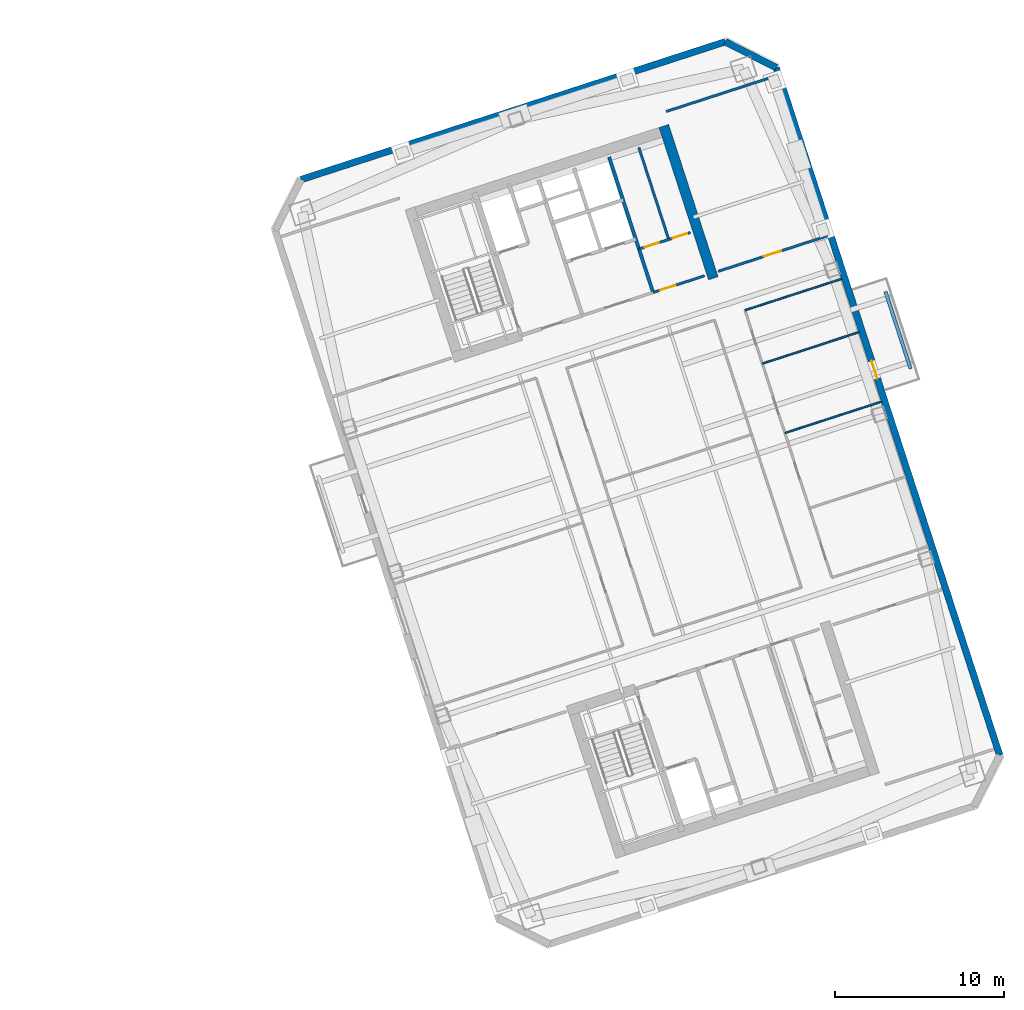
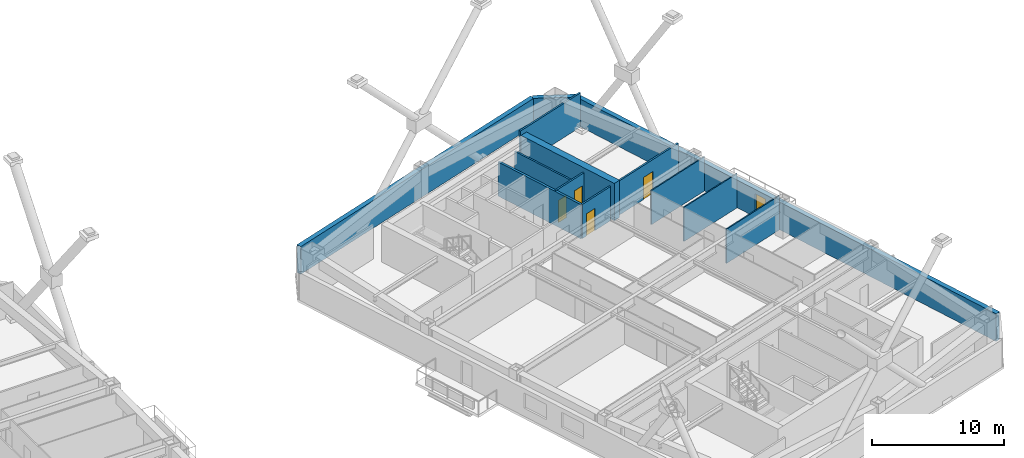
# One storey, part 11 of 17: 14 walls, 5 doors, 5 openings.
"""IFC4 building model written with IfcOpenShell, lengths in metres."""

from ifc_helpers import new_model, si_unit, direction, frame, frame_2d, origin, place, context, subcontext, project, spatial, rectangle, extrude, material, layer, layer_set, type_object, element, fill, save


model = new_model("IFC4")

# Units and contexts
model_context = context("Model", 3, precision=1e-05, world=origin(), true_north=direction((0.0, 1.0)))
body_context = subcontext(model_context, "Body", "Model", "MODEL_VIEW")
ifc_project = project(units=[si_unit("LENGTHUNIT", "METRE"), si_unit("AREAUNIT", "SQUARE_METRE"), si_unit("VOLUMEUNIT", "CUBIC_METRE"), si_unit("PLANEANGLEUNIT", "RADIAN"), si_unit("MASSUNIT", "GRAM", prefix="KILO")], contexts=[model_context])

# Site, building, storey
site_placement = place(None, origin())
site = spatial("IfcSite", under=ifc_project, at=site_placement, CompositionType="ELEMENT")
building_placement = place(site_placement, origin())
building = spatial("IfcBuilding", under=site, at=building_placement, Name="Qiaolan Cultural Towers", CompositionType="ELEMENT")
storey_placement = place(building_placement, frame((0.0, 0.0, 134.550048828125)))
storey = spatial("IfcBuildingStorey", under=building, at=storey_placement, Name="L35", CompositionType="ELEMENT", Elevation=134.550048828125)

# Walls
ifc_material_1 = material(Name="Concrete C55", Category="concrete")
ifc_layer_1 = layer(ifc_material_1, 0.60009765625)
ifc_layer_set_1 = layer_set([ifc_layer_1], Name="Concrete C55")
wall_type_1 = type_object("IfcWallType", Name="WL-CORE-600", PredefinedType="SHEAR", material=ifc_layer_set_1)
wall_1_placement = place(storey_placement, frame((94.4921875, 46.710205078125, 0.0), z_axis=(0.0, 0.0, 1.0), x_axis=(-0.309010370028, 0.95105866865, 0.0)))
element("IfcWall", 1, at=wall_1_placement, inside=storey, type_object=wall_type_1, Name="L35 T2-CN East Core Shear Wall", PredefinedType="SHEAR", context=body_context, shape_type="SweptSolid", body=[
    extrude(rectangle(XDim=9.47998046875, YDim=0.60009765625, at=frame_2d((4.739990234375, 0.0))), origin(), (0.0, 0.0, 1.0), 3.449951171875),
])
ifc_material_2 = material(Name="Precast Concrete C50 Honed Stone Pier", Category="masonry")
ifc_layer_2 = layer(ifc_material_2, 0.39990234375)
ifc_layer_set_2 = layer_set([ifc_layer_2], Name="Precast Concrete C50 Honed Stone Pier")
wall_type_2 = type_object("IfcWallType", Name="WL-EXT-PIER-400", PredefinedType="SOLIDWALL", material=ifc_layer_set_2)
wall_2_placement = place(storey_placement, frame((70.091552734375, 52.55615234375, 0.0), z_axis=(0.0, 0.0, 1.0), x_axis=(0.951057580055, 0.30901372044, 0.0)))
element("IfcWall", 2, at=wall_2_placement, inside=storey, type_object=wall_type_2, Name="L35 East Tower Precast Pier Facade Wall F3", PredefinedType="SOLIDWALL", context=body_context, shape_type="SweptSolid", body=[
    extrude(rectangle(XDim=26.39990234375, YDim=0.39990234375, at=frame_2d((13.199951171875, 0.0))), origin(), (0.0, 0.0, 1.0), 2.550048828125),
])
wall_3_placement = place(storey_placement, frame((95.199462890625, 60.714111328125, 0.0), z_axis=(0.0, 0.0, 1.0), x_axis=(0.891020832027, -0.453962417932, 0.0)))
element("IfcWall", 3, at=wall_3_placement, inside=storey, type_object=wall_type_2, Name="L35 East Tower Precast Pier Facade Wall F4", PredefinedType="SOLIDWALL", context=body_context, shape_type="SweptSolid", body=[
    extrude(rectangle(XDim=3.39404296875, YDim=0.39990234375, at=frame_2d((1.697021484375, 0.0))), origin(), (0.0, 0.0, 1.0), 2.550048828125),
])

# Wall, opening, door
wall_4_placement = place(storey_placement, frame((98.2236328125, 59.17333984375, 0.0), z_axis=(0.0, 0.0, 1.0), x_axis=(0.309014228706, -0.951057414911, 0.0)))
wall_4 = element("IfcWall", 4, at=wall_4_placement, inside=storey, type_object=wall_type_2, Name="L35 East Tower Precast Pier Facade Wall F5", PredefinedType="SOLIDWALL", context=body_context, shape_type="SweptSolid", body=[
    extrude(rectangle(XDim=42.800048828125, YDim=0.39990234375, at=frame_2d((21.39990234375, 0.0))), origin(), (0.0, 0.0, 1.0), 2.550048828125),
])
opening_1_placement = place(wall_4_placement, frame((18.25, 0.0, 0.0)))
opening_1 = element("IfcOpeningElement", 5, at=opening_1_placement, cuts=wall_4, Name="Opening BD-01", PredefinedType="OPENING", context=body_context, shape_type="SweptSolid", body=[
    extrude(rectangle(XDim=1.10009765625, YDim=2.14990234375, at=frame_2d((0.550048828125, 1.074951171875))), frame((0.0, 0.2099609375, 0.0), z_axis=(0.0, -1.0, 0.0), x_axis=(1.0, 0.0, 0.0)), (0.0, 0.0, 1.0), 0.419921875),
])
ifc_material_3 = material(Name="Thermally Broken Aluminium Glazed Terrace Door", Category="aluminium")
door_type_1 = type_object("IfcDoorType", Name="DR-BAL-1100", OperationType="NOTDEFINED", PredefinedType="DOOR", material=ifc_material_3)
door_1_placement = place(opening_1_placement, origin())
door_1 = element("IfcDoor", 6, at=door_1_placement, inside=storey, type_object=door_type_1, Name="L35 T2 East Tree Balcony Door", OperationType="SINGLE_SWING_RIGHT", OverallHeight=2.14990234375, OverallWidth=1.10009765625, PredefinedType="DOOR", context=body_context, shape_type="SweptSolid", body=[
    extrude(rectangle(XDim=1.10009765625, YDim=2.14990234375, at=frame_2d((0.550048828125, 1.074951171875))), frame((0.0, 0.02490234375, 0.0), z_axis=(0.0, -1.0, 0.0), x_axis=(1.0, 0.0, 0.0)), (0.0, 0.0, 1.0), 0.050048828125),
])
fill(opening_1, door_1)

# Walls
ifc_material_4 = material(Name="Concrete C35 Fire Wall", Category="concrete")
ifc_layer_3 = layer(ifc_material_4, 0.199951171875)
ifc_layer_set_3 = layer_set([ifc_layer_3], Name="Concrete C35 Fire Wall")
wall_type_3 = type_object("IfcWallType", Name="WL-FIRE-200", PredefinedType="PARTITIONING", material=ifc_layer_set_3)
wall_5_placement = place(storey_placement, frame((90.92822265625, 45.86767578125, 0.0), z_axis=(0.0, 0.0, 1.0), x_axis=(-0.309042196757, 0.951048327176, 0.0)))
element("IfcWall", 7, at=wall_5_placement, inside=storey, type_object=wall_type_3, Name="L35 T2-CN Lift Core East Wall", PredefinedType="PARTITIONING", context=body_context, shape_type="SweptSolid", body=[
    extrude(rectangle(XDim=8.429931640625, YDim=0.199951171875, at=frame_2d((4.21484375, 0.0))), origin(), (0.0, 0.0, 1.0), 3.155029296875),
])
ifc_material_5 = material(Name="Acoustic Double-Glazed Partition Frame", Category="glass")
ifc_layer_4 = layer(ifc_material_5, 0.10009765625)
ifc_layer_set_4 = layer_set([ifc_layer_4], Name="Acoustic Double-Glazed Partition Frame")
wall_type_4 = type_object("IfcWallType", Name="WL-GLAZED-100", PredefinedType="MOVABLE", material=ifc_layer_set_4)
for number, where, z_axis, x_axis, name in (
    (8, (96.368896484375, 44.817626953125, 0.0), (0.0, 0.0, 1.0), (0.95106067854, 0.309004184009, 0.0), "L35 T2 Interior Wall"),
    (9, (98.729736328125, 37.551513671875, 0.0), (0.0, 0.0, 1.0), (0.95106067854, 0.309004184009, 0.0), "L35 T2 Interior Wall"),
    (10, (97.394775390625, 41.66015625, 0.0), (0.0, 0.0, 1.0), (0.95106067854, 0.309004184009, 0.0), "L35 T2 Interior Wall"),
):
    element("IfcWall", number, at=place(storey_placement, frame(where, z_axis=z_axis, x_axis=x_axis)), inside=storey, type_object=wall_type_4, Name=name, PredefinedType="MOVABLE", context=body_context, shape_type="SweptSolid", body=[
        extrude(rectangle(XDim=6.0, YDim=0.10009765625, at=frame_2d((3.0, 0.0))), origin(), (0.0, 0.0, 1.0), 3.155029296875),
    ])

# Wall, opening, door
ifc_material_6 = material(Name="Autoclaved Aerated Concrete Block B06", Category="concrete")
ifc_layer_5 = layer(ifc_material_6, 0.14990234375)
ifc_layer_set_5 = layer_set([ifc_layer_5], Name="Autoclaved Aerated Concrete Block B06")
wall_type_5 = type_object("IfcWallType", Name="WL-PART-150", PredefinedType="PARTITIONING", material=ifc_layer_set_5)
wall_6_placement = place(storey_placement, frame((90.92822265625, 45.86767578125, 0.0), z_axis=(0.0, 0.0, 1.0), x_axis=(0.951059297078, 0.309008435874, 0.0)))
wall_6 = element("IfcWall", 11, at=wall_6_placement, inside=storey, type_object=wall_type_5, Name="L35 T2-CN Sanitary Core Front Wall", PredefinedType="PARTITIONING", context=body_context, shape_type="SweptSolid", body=[
    extrude(rectangle(XDim=3.19970703125, YDim=0.14990234375, at=frame_2d((1.599853515625, 0.0))), origin(), (0.0, 0.0, 1.0), 3.155029296875),
])
opening_2_placement = place(wall_6_placement, frame((0.449951171875, 0.0, 0.0)))
opening_2 = element("IfcOpeningElement", 12, at=opening_2_placement, cuts=wall_6, Name="Opening ID-05", PredefinedType="OPENING", context=body_context, shape_type="SweptSolid", body=[
    extrude(rectangle(XDim=0.949951171875, YDim=2.050048828125, at=frame_2d((0.47509765625, 1.02490234375))), frame((0.0, 0.0849609375, 0.0), z_axis=(0.0, -1.0, 0.0), x_axis=(1.0, 0.0, 0.0)), (0.0, 0.0, 1.0), 0.169921875),
])
ifc_material_7 = material(Name="Fire-Rated Laminate Accessible Core Door", Category="timber")
door_type_2 = type_object("IfcDoorType", Name="DR-INT-950", OperationType="NOTDEFINED", PredefinedType="DOOR", material=ifc_material_7)
door_2_placement = place(opening_2_placement, origin())
door_2 = element("IfcDoor", 13, at=door_2_placement, inside=storey, type_object=door_type_2, Name="L35 Sanitary Vestibule Door", OperationType="SINGLE_SWING_LEFT", OverallHeight=2.050048828125, OverallWidth=0.949951171875, PredefinedType="DOOR", context=body_context, shape_type="SweptSolid", body=[
    extrude(rectangle(XDim=0.949951171875, YDim=2.050048828125, at=frame_2d((0.47509765625, 1.02490234375))), frame((0.0, 0.02490234375, 0.0), z_axis=(0.0, -1.0, 0.0), x_axis=(1.0, 0.0, 0.0)), (0.0, 0.0, 1.0), 0.050048828125),
])
fill(opening_2, door_2)

# Wall, openings, doors
wall_7_placement = place(storey_placement, frame((90.09375, 48.435546875, 0.0), z_axis=(0.0, 0.0, 1.0), x_axis=(0.951066581729, 0.308986014439, 0.0)))
wall_7 = element("IfcWall", 14, at=wall_7_placement, inside=storey, type_object=wall_type_5, Name="L35 T2-CN Restroom Vestibule Wall", PredefinedType="PARTITIONING", context=body_context, shape_type="SweptSolid", body=[
    extrude(rectangle(XDim=3.199951171875, YDim=0.14990234375, at=frame_2d((1.60009765625, 0.0))), origin(), (0.0, 0.0, 1.0), 3.155029296875),
])
opening_3_placement = place(wall_7_placement, frame((0.35009765625, 0.0, 0.0)))
opening_3 = element("IfcOpeningElement", 15, at=opening_3_placement, cuts=wall_7, Name="Opening ID-06", PredefinedType="OPENING", context=body_context, shape_type="SweptSolid", body=[
    extrude(rectangle(XDim=0.89990234375, YDim=2.050048828125, at=frame_2d((0.449951171875, 1.02490234375))), frame((0.0, 0.0849609375, 0.0), z_axis=(0.0, -1.0, 0.0), x_axis=(1.0, 0.0, 0.0)), (0.0, 0.0, 1.0), 0.169921875),
])
opening_4_placement = place(wall_7_placement, frame((2.10009765625, 0.0, 0.0)))
opening_4 = element("IfcOpeningElement", 16, at=opening_4_placement, cuts=wall_7, Name="Opening ID-06", PredefinedType="OPENING", context=body_context, shape_type="SweptSolid", body=[
    extrude(rectangle(XDim=0.89990234375, YDim=2.050048828125, at=frame_2d((0.449951171875, 1.02490234375))), frame((0.0, 0.0849609375, 0.0), z_axis=(0.0, -1.0, 0.0), x_axis=(1.0, 0.0, 0.0)), (0.0, 0.0, 1.0), 0.169921875),
])
ifc_material_8 = material(Name="Fire-Rated Laminate Core Service Door", Category="timber")
door_type_3 = type_object("IfcDoorType", Name="DR-INT-900", OperationType="NOTDEFINED", PredefinedType="DOOR", material=ifc_material_8)
door_3_placement = place(opening_3_placement, origin())
door_3 = element("IfcDoor", 17, at=door_3_placement, inside=storey, type_object=door_type_3, Name="L35 Men Restroom Door", OperationType="SINGLE_SWING_LEFT", OverallHeight=2.050048828125, OverallWidth=0.89990234375, PredefinedType="DOOR", context=body_context, shape_type="SweptSolid", body=[
    extrude(rectangle(XDim=0.89990234375, YDim=2.050048828125, at=frame_2d((0.449951171875, 1.02490234375))), frame((0.0, 0.02490234375, 0.0), z_axis=(0.0, -1.0, 0.0), x_axis=(1.0, 0.0, 0.0)), (0.0, 0.0, 1.0), 0.050048828125),
])
fill(opening_3, door_3)
door_4_placement = place(opening_4_placement, origin())
door_4 = element("IfcDoor", 18, at=door_4_placement, inside=storey, type_object=door_type_3, Name="L35 Accessible & Women Restroom Door", OperationType="SINGLE_SWING_RIGHT", OverallHeight=2.050048828125, OverallWidth=0.89990234375, PredefinedType="DOOR", context=body_context, shape_type="SweptSolid", body=[
    extrude(rectangle(XDim=0.89990234375, YDim=2.050048828125, at=frame_2d((0.449951171875, 1.02490234375))), frame((0.0, 0.02490234375, 0.0), z_axis=(0.0, -1.0, 0.0), x_axis=(1.0, 0.0, 0.0)), (0.0, 0.0, 1.0), 0.050048828125),
])
fill(opening_4, door_4)

# Walls
wall_8_placement = place(storey_placement, frame((91.853271484375, 49.007080078125, 0.0), z_axis=(0.0, 0.0, 1.0), x_axis=(-0.309022487551, 0.951054731437, 0.0)))
element("IfcWall", 19, at=wall_8_placement, inside=storey, type_object=wall_type_5, Name="L35 T2-CN Restroom Divider Wall", PredefinedType="PARTITIONING", context=body_context, shape_type="SweptSolid", body=[
    extrude(rectangle(XDim=5.730224609375, YDim=0.14990234375, at=frame_2d((2.865234375, 0.0))), origin(), (0.0, 0.0, 1.0), 3.155029296875),
])
wall_9_placement = place(storey_placement, frame((91.705078125, 56.582275390625, 0.0), z_axis=(0.0, 0.0, 1.0), x_axis=(0.951057811516, 0.309013008068, 0.0)))
element("IfcWall", 20, at=wall_9_placement, inside=storey, type_object=wall_type_5, Name="L35 T2 Flank Wall FLK-NE", PredefinedType="PARTITIONING", context=body_context, shape_type="SweptSolid", body=[
    extrude(rectangle(XDim=6.800048828125, YDim=0.14990234375, at=frame_2d((3.39990234375, 0.0))), origin(), (0.0, 0.0, 1.0), 3.155029296875),
])

# Wall, opening, door
wall_10_placement = place(storey_placement, frame((94.77978515625, 47.119140625, 0.0), z_axis=(0.0, 0.0, 1.0), x_axis=(0.951057811516, 0.309013008068, 0.0)))
wall_10 = element("IfcWall", 21, at=wall_10_placement, inside=storey, type_object=wall_type_5, Name="L35 T2 Flank Front FLK-NE", PredefinedType="PARTITIONING", context=body_context, shape_type="SweptSolid", body=[
    extrude(rectangle(XDim=6.800048828125, YDim=0.14990234375, at=frame_2d((3.39990234375, 0.0))), origin(), (0.0, 0.0, 1.0), 3.155029296875),
])
opening_5_placement = place(wall_10_placement, frame((2.85595703125, 0.0, 0.0)))
opening_5 = element("IfcOpeningElement", 22, at=opening_5_placement, cuts=wall_10, Name="Opening ID-07", PredefinedType="OPENING", context=body_context, shape_type="SweptSolid", body=[
    extrude(rectangle(XDim=1.050048828125, YDim=2.050048828125, at=frame_2d((0.52490234375, 1.02490234375))), frame((0.0, 0.0849609375, 0.0), z_axis=(0.0, -1.0, 0.0), x_axis=(1.0, 0.0, 0.0)), (0.0, 0.0, 1.0), 0.169921875),
])
ifc_material_9 = material(Name="Oak Veneer Consultation Door", Category="timber")
door_type_4 = type_object("IfcDoorType", Name="DR-INT-1050", OperationType="NOTDEFINED", PredefinedType="DOOR", material=ifc_material_9)
door_5_placement = place(opening_5_placement, origin())
door_5 = element("IfcDoor", 23, at=door_5_placement, inside=storey, type_object=door_type_4, Name="L35 T2 Corner Studio Door", OperationType="SINGLE_SWING_LEFT", OverallHeight=2.050048828125, OverallWidth=1.050048828125, PredefinedType="DOOR", context=body_context, shape_type="SweptSolid", body=[
    extrude(rectangle(XDim=1.050048828125, YDim=2.050048828125, at=frame_2d((0.52490234375, 1.02490234375))), frame((0.0, 0.02490234375, 0.0), z_axis=(0.0, -1.0, 0.0), x_axis=(1.0, 0.0, 0.0)), (0.0, 0.0, 1.0), 0.050048828125),
])
fill(opening_5, door_5)

# Wall
ifc_material_10 = material(Name="Precast Concrete C45 Tree Planter Upstand", Category="concrete")
ifc_layer_6 = layer(ifc_material_10, 0.199951171875)
ifc_layer_set_6 = layer_set([ifc_layer_6], Name="Precast Concrete C45 Tree Planter Upstand")
wall_type_6 = type_object("IfcWallType", Name="WL-PLANTER-200", PredefinedType="PARAPET", material=ifc_layer_set_6)
wall_11_placement = place(storey_placement, frame((106.168212890625, 41.356201171875, 0.0), z_axis=(0.0, 0.0, 1.0), x_axis=(-0.309032019345, 0.951051634255, 0.0)))
element("IfcWall", 24, at=wall_11_placement, inside=storey, type_object=wall_type_6, Name="L35 T2 Tree Balcony Soil Planter Box E", PredefinedType="PARAPET", context=body_context, shape_type="SweptSolid", body=[
    extrude(rectangle(XDim=4.800048828125, YDim=0.199951171875, at=frame_2d((2.39990234375, 0.0))), origin(), (0.0, 0.0, 1.0), 0.75),
])

save(model, "model.ifc")
